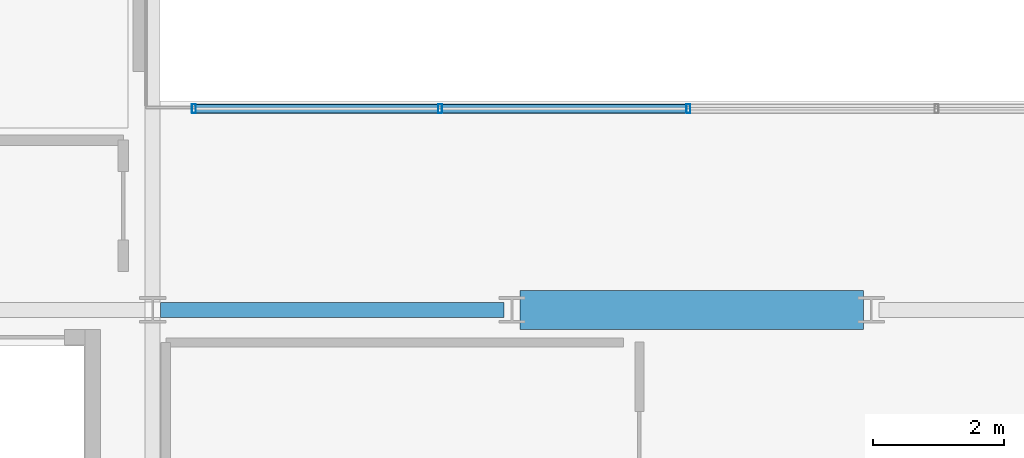
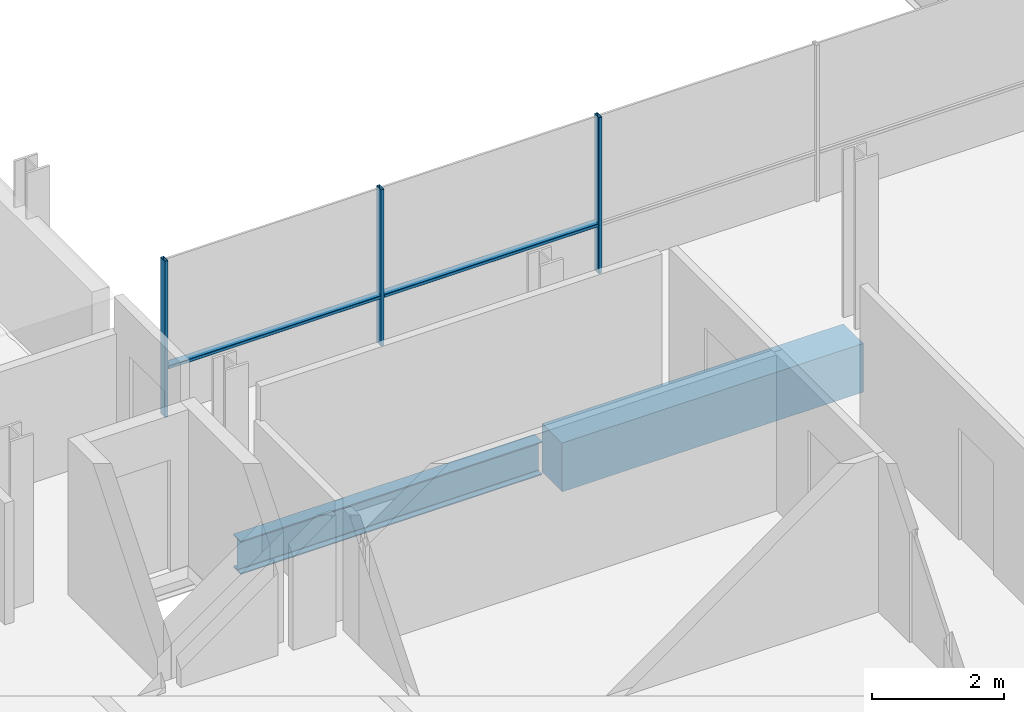
# One storey, part 6 of 38: 5 members, 2 beams, 1 element without a shape of its own.
"""IFC4 building model written with IfcOpenShell, lengths in metres."""

from ifc_helpers import new_model, si_unit, direction, frame, origin, origin_2d, place, context, subcontext, project, spatial, rectangle, hollow_rectangle, i_section, extrude, material, layer, layer_set, material_profile, profile_set, type_object, element, aggregate, save


model = new_model("IFC4")

# Units and contexts
model_context = context("Model", 3, precision=1e-05, world=origin(), true_north=direction((0.0, 1.0)))
body_context = subcontext(model_context, "Body", "Model", "MODEL_VIEW")
ifc_project = project(units=[si_unit("LENGTHUNIT", "METRE"), si_unit("AREAUNIT", "SQUARE_METRE"), si_unit("VOLUMEUNIT", "CUBIC_METRE"), si_unit("PLANEANGLEUNIT", "RADIAN"), si_unit("MASSUNIT", "GRAM", prefix="KILO")], contexts=[model_context])

# Site, building, storey
site_placement = place(None, origin())
site = spatial("IfcSite", under=ifc_project, at=site_placement, CompositionType="ELEMENT")
building_placement = place(site_placement, origin())
building = spatial("IfcBuilding", under=site, at=building_placement, Name="Brevholm Reach", CompositionType="ELEMENT")
storey_placement = place(building_placement, frame((0.0, 0.0, 166.60009765625)))
storey = spatial("IfcBuildingStorey", under=building, at=storey_placement, Name="L50", CompositionType="ELEMENT", Elevation=166.60009765625)

# Beams
ifc_material_1 = material(Name="Concrete C50/60", Category="concrete")
ifc_material_profile_1 = material_profile(ifc_material_1, rectangle(XDim=0.60009765625, YDim=0.89990234375, at=origin_2d()), Name="RC 600x900")
ifc_profile_set_1 = profile_set([ifc_material_profile_1], Name="Concrete C50/60")
beam_type_1 = type_object("IfcBeamType", Name="BM-CB600", PredefinedType="LINTEL", material=ifc_profile_set_1)
beam_1_placement = place(storey_placement, frame((27.3701171875, 10.0, -0.670166015625), z_axis=(1.0, 0.0, 0.0), x_axis=(0.0, 1.0, 0.0)))
element("IfcBeam", 1, at=beam_1_placement, inside=storey, type_object=beam_type_1, Name="L50 CB-02 Framing Beam", PredefinedType="LINTEL", context=body_context, shape_type="SweptSolid", body=[
    extrude(rectangle(XDim=0.60009765625, YDim=0.89990234375, at=origin_2d()), origin(), (0.0, 0.0, 1.0), 5.259765625),
])
ifc_material_2 = material(Name="Structural Steel S355J2", Category="steel")
ifc_material_profile_2 = material_profile(ifc_material_2, i_section(OverallWidth=0.22900390625, OverallDepth=0.6123046875, WebThickness=0.011962890625, FlangeThickness=0.01953125, FilletRadius=0.0126953125, at=origin_2d()), Name="UKB 610x229x125")
ifc_profile_set_2 = profile_set([ifc_material_profile_2], Name="Structural Steel S355J2")
beam_type_2 = type_object("IfcBeamType", Name="BM-SP610", PredefinedType="SPANDREL", material=ifc_profile_set_2)
beam_2_placement = place(storey_placement, frame((21.8701171875, 10.0, -0.526123046875), z_axis=(1.0, 0.0, 0.0), x_axis=(0.0, 1.0, 0.0)))
element("IfcBeam", 2, at=beam_2_placement, inside=storey, type_object=beam_type_2, Name="L50 SP-01 Framing Beam", PredefinedType="SPANDREL", context=body_context, shape_type="SweptSolid", body=[
    extrude(i_section(OverallWidth=0.22900390625, OverallDepth=0.6123046875, WebThickness=0.011962890625, FlangeThickness=0.01953125, FilletRadius=0.0126953125, at=origin_2d()), origin(), (0.0, 0.0, 1.0), 5.259765625),
])

# Curtain wall, members
ifc_material_3 = material(Name="Dark Anodised Aluminium 6063-T6 and Solar-Control Glass", Category="aluminium")
ifc_layer = layer(ifc_material_3, 0.139892578125)
ifc_layer_set = layer_set([ifc_layer], Name="Dark Anodised Aluminium 6063-T6 and Solar-Control Glass")
curtain_wall_type = type_object("IfcCurtainWallType", Name="CW-02", PredefinedType="NOTDEFINED", material=ifc_layer_set)
curtain_wall_placement = place(storey_placement, origin())
curtain_wall = element("IfcCurtainWall", 3, at=curtain_wall_placement, inside=storey, type_object=curtain_wall_type, Name="L50 Curtain Wall CW-02", PredefinedType="NOTDEFINED")
ifc_material_4 = material(Name="Dark Anodised Aluminium 6063-T6", Category="aluminium")
ifc_material_profile_3 = material_profile(ifc_material_4, hollow_rectangle(XDim=0.06005859375, YDim=0.139892578125, WallThickness=0.0048828125, InnerFilletRadius=0.0048828125, OuterFilletRadius=0.010009765625, at=origin_2d()), Name="RHS 140x60x5")
ifc_profile_set_3 = profile_set([ifc_material_profile_3], Name="Dark Anodised Aluminium 6063-T6")
member_type_1 = type_object("IfcMemberType", Name="CWM-140", PredefinedType="MULLION", material=ifc_profile_set_3)
member_1_placement = place(storey_placement, frame((22.3798828125, 13.080078125, 0.0), z_axis=(0.0, 0.0, 1.0), x_axis=(1.0, 0.0, 0.0)))
member_1 = element("IfcMember", 4, at=member_1_placement, type_object=member_type_1, Name="CM-140 Mullion 1", PredefinedType="MULLION", context=body_context, shape_type="SweptSolid", body=[
    extrude(hollow_rectangle(XDim=0.06005859375, YDim=0.139892578125, WallThickness=0.0048828125, InnerFilletRadius=0.0048828125, OuterFilletRadius=0.010009765625, at=origin_2d()), origin(), (0.0, 0.0, 1.0), 2.8798828125),
])
member_2_placement = place(storey_placement, frame((26.14990234375, 13.080078125, 0.0), z_axis=(0.0, 0.0, 1.0), x_axis=(1.0, 0.0, 0.0)))
member_2 = element("IfcMember", 5, at=member_2_placement, type_object=member_type_1, Name="CM-140 Mullion 2", PredefinedType="MULLION", context=body_context, shape_type="SweptSolid", body=[
    extrude(hollow_rectangle(XDim=0.06005859375, YDim=0.139892578125, WallThickness=0.0048828125, InnerFilletRadius=0.0048828125, OuterFilletRadius=0.010009765625, at=origin_2d()), origin(), (0.0, 0.0, 1.0), 2.8798828125),
])
member_3_placement = place(storey_placement, frame((29.949951171875, 13.080078125, 0.0), z_axis=(0.0, 0.0, 1.0), x_axis=(1.0, 0.0, 0.0)))
member_3 = element("IfcMember", 6, at=member_3_placement, type_object=member_type_1, Name="CM-140 Mullion 3", PredefinedType="MULLION", context=body_context, shape_type="SweptSolid", body=[
    extrude(hollow_rectangle(XDim=0.06005859375, YDim=0.139892578125, WallThickness=0.0048828125, InnerFilletRadius=0.0048828125, OuterFilletRadius=0.010009765625, at=origin_2d()), origin(), (0.0, 0.0, 1.0), 2.8798828125),
])
ifc_material_5 = material(Name="Dark Anodised Aluminium 6063-T6", Category="aluminium")
ifc_material_profile_4 = material_profile(ifc_material_5, hollow_rectangle(XDim=0.06005859375, YDim=0.139892578125, WallThickness=0.0048828125, InnerFilletRadius=0.0048828125, OuterFilletRadius=0.010009765625, at=origin_2d()), Name="RHS 140x60x5")
ifc_profile_set_4 = profile_set([ifc_material_profile_4], Name="Dark Anodised Aluminium 6063-T6")
member_type_2 = type_object("IfcMemberType", Name="CWT-140", PredefinedType="NOTDEFINED", material=ifc_profile_set_4)
member_4_placement = place(storey_placement, frame((22.409912109375, 13.080078125, 0.89990234375), z_axis=(1.0, 0.0, 0.0), x_axis=(0.0, 0.0, 1.0)))
member_4 = element("IfcMember", 7, at=member_4_placement, type_object=member_type_2, Name="CT-140 Transom 1.1", ObjectType="TRANSOM", PredefinedType="USERDEFINED", context=body_context, shape_type="SweptSolid", body=[
    extrude(hollow_rectangle(XDim=0.06005859375, YDim=0.139892578125, WallThickness=0.0048828125, InnerFilletRadius=0.0048828125, OuterFilletRadius=0.010009765625, at=origin_2d()), origin(), (0.0, 0.0, 1.0), 3.710205078125),
])
member_5_placement = place(storey_placement, frame((26.179931640625, 13.080078125, 0.89990234375), z_axis=(1.0, 0.0, 0.0), x_axis=(0.0, 0.0, 1.0)))
member_5 = element("IfcMember", 8, at=member_5_placement, type_object=member_type_2, Name="CT-140 Transom 2.1", ObjectType="TRANSOM", PredefinedType="USERDEFINED", context=body_context, shape_type="SweptSolid", body=[
    extrude(hollow_rectangle(XDim=0.06005859375, YDim=0.139892578125, WallThickness=0.0048828125, InnerFilletRadius=0.0048828125, OuterFilletRadius=0.010009765625, at=origin_2d()), origin(), (0.0, 0.0, 1.0), 3.739990234375),
])
aggregate(curtain_wall, [member_1, member_2, member_3, member_4, member_5])

save(model, "model.ifc")
